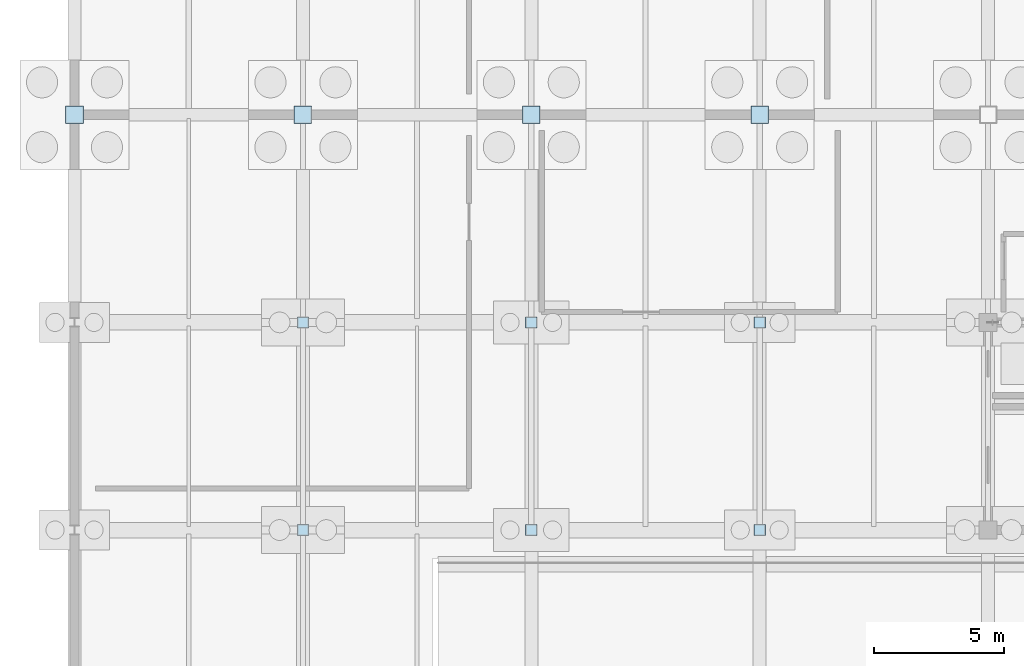
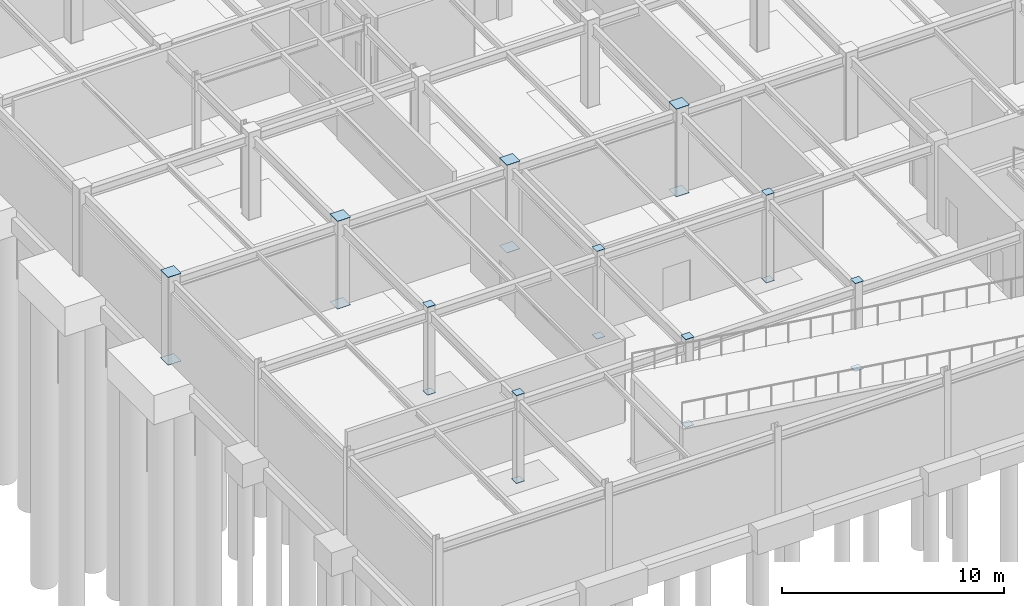
# One storey, part 42 of 72: 20 plates.
"""IFC4 building model written with IfcOpenShell, lengths in metres."""

from ifc_helpers import new_model, si_unit, direction, frame, origin, origin_2d, place, context, subcontext, project, spatial, rectangle, extrude, material, layer, layer_set, type_object, element, save


model = new_model("IFC4")

# Units and contexts
model_context = context("Model", 3, precision=1e-05, world=origin(), true_north=direction((0.0, 1.0)))
body_context = subcontext(model_context, "Body", "Model", "MODEL_VIEW")
ifc_project = project(units=[si_unit("LENGTHUNIT", "METRE"), si_unit("AREAUNIT", "SQUARE_METRE"), si_unit("VOLUMEUNIT", "CUBIC_METRE"), si_unit("PLANEANGLEUNIT", "RADIAN"), si_unit("MASSUNIT", "GRAM", prefix="KILO")], contexts=[model_context])

# Site, building, storey
site_placement = place(None, origin())
site = spatial("IfcSite", under=ifc_project, at=site_placement, CompositionType="ELEMENT")
building_placement = place(site_placement, origin())
building = spatial("IfcBuilding", under=site, at=building_placement, Name="Zhaolan Boulevard Law Courts", CompositionType="ELEMENT")
storey_placement = place(building_placement, frame((0.0, 0.0, -4.800048828125)))
storey = spatial("IfcBuildingStorey", under=building, at=storey_placement, Name="B1", CompositionType="ELEMENT", Elevation=-4.800048828125)

# Plates
ifc_material = material(Name="Structural steel Q355B", Category="steel")
ifc_layer = layer(ifc_material, 0.02001953125)
ifc_layer_set = layer_set([ifc_layer])
plate_type = type_object("IfcPlateType", Name="END CAP PLATE 20", PredefinedType="SHEET", material=ifc_layer_set)
for number, where, z_axis, x_axis, name in (
    (1, (0.0, 30.0, -0.01806640625), (0.0, 0.0, 1.0), (1.0, 0.0, 0.0), "Hollow Section End-Cap Plate ECP-0001"),
    (2, (0.0, 30.0, 4.798095703125), (0.0, 0.0, 1.0), (1.0, 0.0, 0.0), "Hollow Section End-Cap Plate ECP-0002"),
):
    element("IfcPlate", number, at=place(storey_placement, frame(where, z_axis=z_axis, x_axis=x_axis)), inside=storey, type_object=plate_type, Name=name, PredefinedType="SHEET", context=body_context, shape_type="SweptSolid", body=[
        extrude(rectangle(XDim=0.679931640625, YDim=0.679931640625, at=origin_2d()), origin(), (0.0, 0.0, 1.0), 0.02001953125),
    ])
for number, where, z_axis, x_axis, name in (
    (3, (8.800048828125, 14.0, -0.01806640625), (0.0, 0.0, 1.0), (1.0, 0.0, 0.0), "Hollow Section End-Cap Plate ECP-0131"),
    (4, (8.800048828125, 14.0, 4.798095703125), (0.0, 0.0, 1.0), (1.0, 0.0, 0.0), "Hollow Section End-Cap Plate ECP-0132"),
    (5, (8.800048828125, 22.0, -0.01806640625), (0.0, 0.0, 1.0), (1.0, 0.0, 0.0), "Hollow Section End-Cap Plate ECP-0133"),
    (6, (8.800048828125, 22.0, 4.798095703125), (0.0, 0.0, 1.0), (1.0, 0.0, 0.0), "Hollow Section End-Cap Plate ECP-0134"),
):
    element("IfcPlate", number, at=place(storey_placement, frame(where, z_axis=z_axis, x_axis=x_axis)), inside=storey, type_object=plate_type, Name=name, PredefinedType="SHEET", context=body_context, shape_type="SweptSolid", body=[
        extrude(rectangle(XDim=0.429931640625, YDim=0.429931640625, at=origin_2d()), origin(), (0.0, 0.0, 1.0), 0.02001953125),
    ])
for number, where, z_axis, x_axis, name in (
    (7, (8.800048828125, 30.0, -0.01806640625), (0.0, 0.0, 1.0), (1.0, 0.0, 0.0), "Hollow Section End-Cap Plate ECP-0135"),
    (8, (8.800048828125, 30.0, 4.798095703125), (0.0, 0.0, 1.0), (1.0, 0.0, 0.0), "Hollow Section End-Cap Plate ECP-0136"),
):
    element("IfcPlate", number, at=place(storey_placement, frame(where, z_axis=z_axis, x_axis=x_axis)), inside=storey, type_object=plate_type, Name=name, PredefinedType="SHEET", context=body_context, shape_type="SweptSolid", body=[
        extrude(rectangle(XDim=0.679931640625, YDim=0.679931640625, at=origin_2d()), origin(), (0.0, 0.0, 1.0), 0.02001953125),
    ])
for number, where, z_axis, x_axis, name in (
    (9, (17.60009765625, 14.0, -0.01806640625), (0.0, 0.0, 1.0), (1.0, 0.0, 0.0), "Hollow Section End-Cap Plate ECP-0265"),
    (10, (17.60009765625, 14.0, 4.798095703125), (0.0, 0.0, 1.0), (1.0, 0.0, 0.0), "Hollow Section End-Cap Plate ECP-0266"),
    (11, (17.60009765625, 22.0, -0.01806640625), (0.0, 0.0, 1.0), (1.0, 0.0, 0.0), "Hollow Section End-Cap Plate ECP-0267"),
    (12, (17.60009765625, 22.0, 4.798095703125), (0.0, 0.0, 1.0), (1.0, 0.0, 0.0), "Hollow Section End-Cap Plate ECP-0268"),
):
    element("IfcPlate", number, at=place(storey_placement, frame(where, z_axis=z_axis, x_axis=x_axis)), inside=storey, type_object=plate_type, Name=name, PredefinedType="SHEET", context=body_context, shape_type="SweptSolid", body=[
        extrude(rectangle(XDim=0.429931640625, YDim=0.429931640625, at=origin_2d()), origin(), (0.0, 0.0, 1.0), 0.02001953125),
    ])
for number, where, z_axis, x_axis, name in (
    (13, (17.60009765625, 30.0, -0.01806640625), (0.0, 0.0, 1.0), (1.0, 0.0, 0.0), "Hollow Section End-Cap Plate ECP-0269"),
    (14, (17.60009765625, 30.0, 4.798095703125), (0.0, 0.0, 1.0), (1.0, 0.0, 0.0), "Hollow Section End-Cap Plate ECP-0270"),
):
    element("IfcPlate", number, at=place(storey_placement, frame(where, z_axis=z_axis, x_axis=x_axis)), inside=storey, type_object=plate_type, Name=name, PredefinedType="SHEET", context=body_context, shape_type="SweptSolid", body=[
        extrude(rectangle(XDim=0.679931640625, YDim=0.679931640625, at=origin_2d()), origin(), (0.0, 0.0, 1.0), 0.02001953125),
    ])
for number, where, z_axis, x_axis, name in (
    (15, (26.39990234375, 14.0, -0.01806640625), (0.0, 0.0, 1.0), (1.0, 0.0, 0.0), "Hollow Section End-Cap Plate ECP-0311"),
    (16, (26.39990234375, 14.0, 4.798095703125), (0.0, 0.0, 1.0), (1.0, 0.0, 0.0), "Hollow Section End-Cap Plate ECP-0312"),
    (17, (26.39990234375, 22.0, -0.01806640625), (0.0, 0.0, 1.0), (1.0, 0.0, 0.0), "Hollow Section End-Cap Plate ECP-0313"),
    (18, (26.39990234375, 22.0, 4.798095703125), (0.0, 0.0, 1.0), (1.0, 0.0, 0.0), "Hollow Section End-Cap Plate ECP-0314"),
):
    element("IfcPlate", number, at=place(storey_placement, frame(where, z_axis=z_axis, x_axis=x_axis)), inside=storey, type_object=plate_type, Name=name, PredefinedType="SHEET", context=body_context, shape_type="SweptSolid", body=[
        extrude(rectangle(XDim=0.429931640625, YDim=0.429931640625, at=origin_2d()), origin(), (0.0, 0.0, 1.0), 0.02001953125),
    ])
for number, where, z_axis, x_axis, name in (
    (19, (26.39990234375, 30.0, -0.01806640625), (0.0, 0.0, 1.0), (1.0, 0.0, 0.0), "Hollow Section End-Cap Plate ECP-0315"),
    (20, (26.39990234375, 30.0, 4.798095703125), (0.0, 0.0, 1.0), (1.0, 0.0, 0.0), "Hollow Section End-Cap Plate ECP-0316"),
):
    element("IfcPlate", number, at=place(storey_placement, frame(where, z_axis=z_axis, x_axis=x_axis)), inside=storey, type_object=plate_type, Name=name, PredefinedType="SHEET", context=body_context, shape_type="SweptSolid", body=[
        extrude(rectangle(XDim=0.679931640625, YDim=0.679931640625, at=origin_2d()), origin(), (0.0, 0.0, 1.0), 0.02001953125),
    ])

save(model, "model.ifc")
